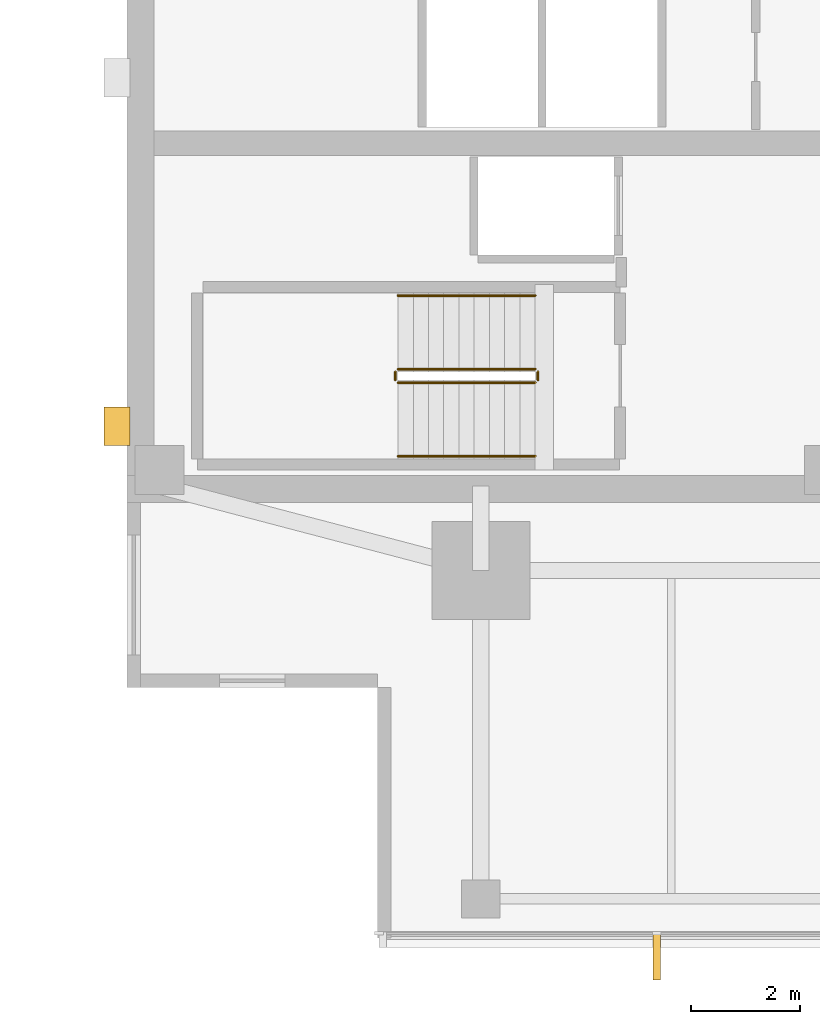
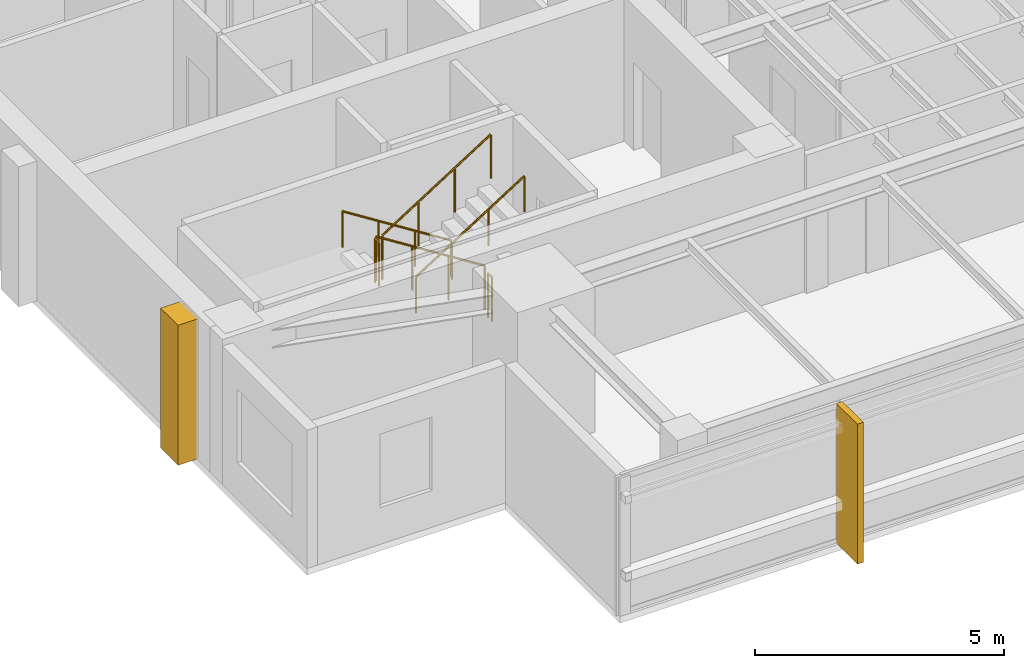
# One storey, part 11 of 14: 6 railings, 2 coverings.
"""IFC4 building model written with IfcOpenShell, lengths in metres."""

from ifc_helpers import new_model, si_unit, direction, frame, origin, origin_2d, place, context, subcontext, project, spatial, polyline, circle, outline, extrude, material, layer, layer_set, type_object, element, save


model = new_model("IFC4")

# Units and contexts
model_context = context("Model", 3, precision=1e-05, world=origin(), true_north=direction((0.0, 1.0)))
body_context = subcontext(model_context, "Body", "Model", "MODEL_VIEW")
ifc_project = project(units=[si_unit("LENGTHUNIT", "METRE"), si_unit("AREAUNIT", "SQUARE_METRE"), si_unit("VOLUMEUNIT", "CUBIC_METRE"), si_unit("PLANEANGLEUNIT", "RADIAN"), si_unit("MASSUNIT", "GRAM", prefix="KILO")], contexts=[model_context])

# Site, building, storey
site_placement = place(None, origin())
site = spatial("IfcSite", under=ifc_project, at=site_placement, CompositionType="ELEMENT")
building_placement = place(site_placement, origin())
building = spatial("IfcBuilding", under=site, at=building_placement, Name="Kinhvarn Gate Tower", CompositionType="ELEMENT")
storey_placement = place(building_placement, frame((0.0, 0.0, 277.64990234375)))
storey = spatial("IfcBuildingStorey", under=building, at=storey_placement, Name="L74", CompositionType="ELEMENT", Elevation=277.64990234375)

# Coverings
ifc_material_1 = material(Name="Fired architectural terracotta", Category="masonry")
ifc_layer_1 = layer(ifc_material_1, 0.139892578125)
ifc_layer_set_1 = layer_set([ifc_layer_1], Name="Fired architectural terracotta")
covering_type_1 = type_object("IfcCoveringType", Name="COV-FIN-850", PredefinedType="CLADDING", material=ifc_layer_set_1)
covering_1_placement = place(storey_placement, frame((0.0, 0.0, -0.02001953125)))
element("IfcCovering", 1, at=covering_1_placement, inside=storey, type_object=covering_type_1, Name="Vertical Terracotta Expressive Fin TFN-850 (L74)", PredefinedType="CLADDING", context=body_context, shape_type="SweptSolid", body=[
    extrude(outline(polyline([(14.163330078125, 6.080078125), (14.30322265625, 6.080078125), (14.30322265625, 5.22998046875), (14.163330078125, 5.22998046875), (14.163330078125, 6.080078125)])), origin(), (0.0, 0.0, 1.0), 3.43017578125),
])
ifc_material_2 = material(Name="Precast white architectural concrete C40/50", Category="concrete")
ifc_layer_2 = layer(ifc_material_2, 0.47998046875)
ifc_layer_set_2 = layer_set([ifc_layer_2], Name="Precast white architectural concrete C40/50")
covering_type_2 = type_object("IfcCoveringType", Name="COV-RIB-450", PredefinedType="CLADDING", material=ifc_layer_set_2)
covering_2_placement = place(storey_placement, frame((0.0, 0.0, -0.02001953125)))
element("IfcCovering", 2, at=covering_2_placement, inside=storey, type_object=covering_type_2, Name="West Core Sculptural Concrete Relief Rib CRB-450 (L74)", PredefinedType="CLADDING", context=body_context, shape_type="SweptSolid", body=[
    extrude(outline(polyline([(4.080078125, 15.050048828125), (4.56005859375, 15.050048828125), (4.56005859375, 15.75), (4.080078125, 15.75), (4.080078125, 15.050048828125)])), origin(), (0.0, 0.0, 1.0), 3.43017578125),
])

# Railings
ifc_material_3 = material(Name="Steel S355", Category="steel")
railing_type_1 = type_object("IfcRailingType", Name="RL-ST-GRD", PredefinedType="BALUSTRADE", material=ifc_material_3)
railing_1_placement = place(storey_placement, frame((12.0, 16.449951171875, 0.177490234375)))
element("IfcRailing", 3, at=railing_1_placement, inside=storey, type_object=railing_type_1, Name="L74 ST1 stair guard 1", PredefinedType="BALUSTRADE", context=body_context, shape_type="SweptSolid", body=[
    extrude(circle(Radius=0.02392578125, at=origin_2d()), frame((0.0, 0.0, 1.076171875), z_axis=(-0.84456994832, 0.0, 0.535445237532), x_axis=(0.0, -1.0, 0.0)), (0.0, 0.0, 1.0), 2.98388671875),
    extrude(circle(Radius=0.02099609375, at=origin_2d()), origin(), (0.0, 0.0, 1.0), 1.052001953125),
    extrude(circle(Radius=0.02099609375, at=origin_2d()), frame((-0.840087890625, 0.0, 0.532470703125)), (0.0, 0.0, 1.0), 1.052001953125),
    extrude(circle(Radius=0.02099609375, at=origin_2d()), frame((-1.679931640625, 0.0, 1.065185546875)), (0.0, 0.0, 1.0), 1.052001953125),
    extrude(circle(Radius=0.02099609375, at=origin_2d()), frame((-2.52001953125, 0.0, 1.59765625)), (0.0, 0.0, 1.0), 1.052001953125),
])
railing_2_placement = place(storey_placement, frame((9.429931640625, 16.39990234375, 1.775146484375)))
element("IfcRailing", 4, at=railing_2_placement, inside=storey, type_object=railing_type_1, Name="L74 ST1 stair guard 2", PredefinedType="BALUSTRADE", context=body_context, shape_type="SweptSolid", body=[
    extrude(circle(Radius=0.02392578125, at=origin_2d()), frame((0.0, 0.0, 1.076171875), z_axis=(0.0, -1.0, 0.0), x_axis=(1.0, 0.0, 0.0)), (0.0, 0.0, 1.0), 0.14990234375),
    extrude(circle(Radius=0.02099609375, at=origin_2d()), origin(), (0.0, 0.0, 1.0), 1.052001953125),
    extrude(circle(Radius=0.02099609375, at=origin_2d()), frame((0.0, -0.14990234375, 0.0)), (0.0, 0.0, 1.0), 1.052001953125),
])
railing_3_placement = place(storey_placement, frame((9.47998046875, 16.199951171875, 1.95263671875)))
element("IfcRailing", 5, at=railing_3_placement, inside=storey, type_object=railing_type_1, Name="L74 ST1 stair guard 3", PredefinedType="BALUSTRADE", context=body_context, shape_type="SweptSolid", body=[
    extrude(circle(Radius=0.02392578125, at=origin_2d()), frame((0.0, 0.0, 1.076171875), z_axis=(0.84460694969, 0.0, 0.535386869969), x_axis=(0.0, 1.0, 0.0)), (0.0, 0.0, 1.0), 2.983642578125),
    extrude(circle(Radius=0.02099609375, at=origin_2d()), origin(), (0.0, 0.0, 1.0), 1.052001953125),
    extrude(circle(Radius=0.02099609375, at=origin_2d()), frame((0.840087890625, 0.0, 0.532470703125)), (0.0, 0.0, 1.0), 1.052001953125),
    extrude(circle(Radius=0.02099609375, at=origin_2d()), frame((1.679931640625, 0.0, 1.06494140625)), (0.0, 0.0, 1.0), 1.052001953125),
    extrude(circle(Radius=0.02099609375, at=origin_2d()), frame((2.52001953125, 0.0, 1.597412109375)), (0.0, 0.0, 1.0), 1.052001953125),
])
railing_4_placement = place(storey_placement, frame((12.050048828125, 16.39990234375, 0.0)))
element("IfcRailing", 6, at=railing_4_placement, inside=storey, type_object=railing_type_1, Name="L74 ST1 stair guard 4", PredefinedType="BALUSTRADE", context=body_context, shape_type="SweptSolid", body=[
    extrude(circle(Radius=0.02392578125, at=origin_2d()), frame((0.0, 0.0, 1.076171875), z_axis=(0.0, -1.0, 0.0), x_axis=(1.0, 0.0, 0.0)), (0.0, 0.0, 1.0), 0.14990234375),
    extrude(circle(Radius=0.02099609375, at=origin_2d()), origin(), (0.0, 0.0, 1.0), 1.052001953125),
    extrude(circle(Radius=0.02099609375, at=origin_2d()), frame((0.0, -0.14990234375, 0.0)), (0.0, 0.0, 1.0), 1.052001953125),
])
railing_type_2 = type_object("IfcRailingType", Name="RL-ST-HND", PredefinedType="HANDRAIL", material=ifc_material_3)
railing_5_placement = place(storey_placement, frame((12.0, 17.800048828125, 0.177490234375)))
element("IfcRailing", 7, at=railing_5_placement, inside=storey, type_object=railing_type_2, Name="L74 ST1 stair handrail 1", PredefinedType="HANDRAIL", context=body_context, shape_type="SweptSolid", body=[
    extrude(circle(Radius=0.02392578125, at=origin_2d()), frame((0.0, 0.0, 0.8759765625), z_axis=(-0.84456994832, 0.0, 0.535445237532), x_axis=(0.0, -1.0, 0.0)), (0.0, 0.0, 1.0), 2.98388671875),
    extrude(circle(Radius=0.02099609375, at=origin_2d()), origin(), (0.0, 0.0, 1.0), 0.851806640625),
    extrude(circle(Radius=0.02099609375, at=origin_2d()), frame((-0.840087890625, 0.0, 0.532470703125)), (0.0, 0.0, 1.0), 0.851806640625),
    extrude(circle(Radius=0.02099609375, at=origin_2d()), frame((-1.679931640625, 0.0, 1.065185546875)), (0.0, 0.0, 1.0), 0.851806640625),
    extrude(circle(Radius=0.02099609375, at=origin_2d()), frame((-2.52001953125, 0.0, 1.59765625)), (0.0, 0.0, 1.0), 0.851806640625),
])
railing_6_placement = place(storey_placement, frame((9.47998046875, 14.85009765625, 1.95263671875)))
element("IfcRailing", 8, at=railing_6_placement, inside=storey, type_object=railing_type_2, Name="L74 ST1 stair handrail 2", PredefinedType="HANDRAIL", context=body_context, shape_type="SweptSolid", body=[
    extrude(circle(Radius=0.02392578125, at=origin_2d()), frame((0.0, 0.0, 0.8759765625), z_axis=(0.84460694969, 0.0, 0.535386869969), x_axis=(0.0, 1.0, 0.0)), (0.0, 0.0, 1.0), 2.983642578125),
    extrude(circle(Radius=0.02099609375, at=origin_2d()), origin(), (0.0, 0.0, 1.0), 0.851806640625),
    extrude(circle(Radius=0.02099609375, at=origin_2d()), frame((0.840087890625, 0.0, 0.532470703125)), (0.0, 0.0, 1.0), 0.851806640625),
    extrude(circle(Radius=0.02099609375, at=origin_2d()), frame((1.679931640625, 0.0, 1.06494140625)), (0.0, 0.0, 1.0), 0.851806640625),
    extrude(circle(Radius=0.02099609375, at=origin_2d()), frame((2.52001953125, 0.0, 1.597412109375)), (0.0, 0.0, 1.0), 0.851806640625),
])

save(model, "model.ifc")
